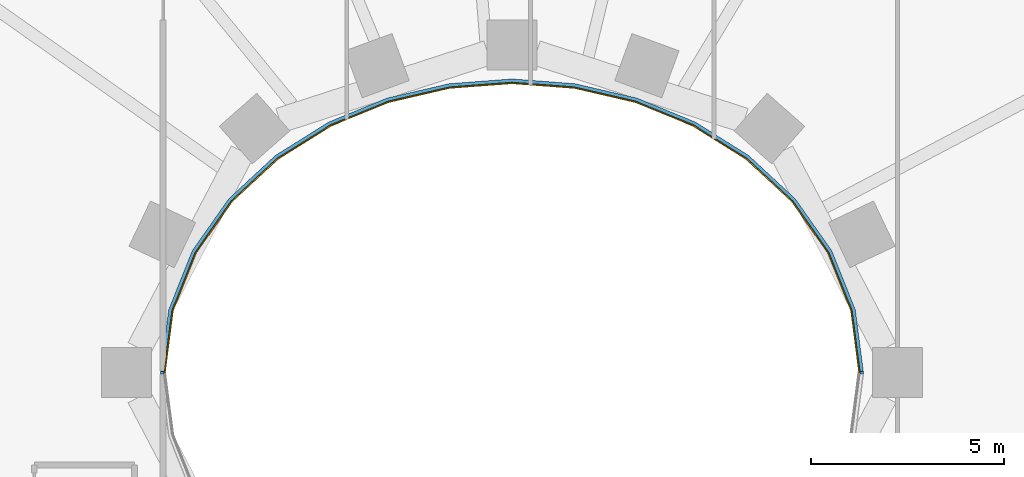
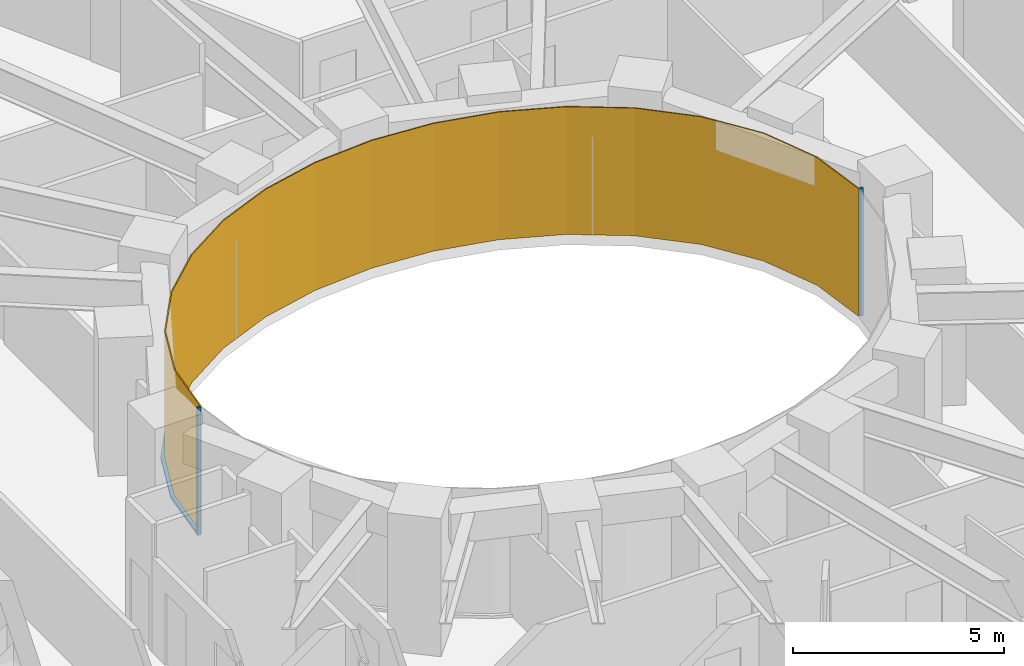
# One storey, part 12 of 16: 3 members, 1 curtain wall.
"""IFC4 building model written with IfcOpenShell, lengths in metres."""

import ifcopenshell
import ifcopenshell.guid

model = None  # the IFC model being written
_history = None  # IfcOwnerHistory: only IFC2X3 demands one
_inside = {}  # id of a spatial element -> (the spatial element, [elements in it])
_under = {}  # id of a project, library or spatial element -> (it, [spatial elements below it])
_declared = {}  # id of a project -> (the project, [libraries it declares])
_typed = {}  # id of a type object -> (the type object, [elements of that type])
_made_of = {}  # id of a material, layer set ... -> (it, [elements and type objects made of it])


def new_model(schema):
    """Start an empty IFC model of exactly this schema.

    Asked for "IFC4X3", IfcOpenShell would pick the latest addendum, in which some entities
    have other attributes; the version numbers below select the first issue.
    IFC2X3 requires an IfcOwnerHistory on every rooted entity: one is made here for all.
    """
    global model, _history
    if schema == "IFC4X3":
        model = ifcopenshell.file(schema_version=(4, 3, 0, 0))
    else:
        model = ifcopenshell.file(schema=schema)
    _inside.clear()
    _under.clear()
    _declared.clear()
    _typed.clear()
    _made_of.clear()
    _history = None
    if model.schema == "IFC2X3":
        org = make("IfcOrganization", Name="unknown")
        user = make(
            "IfcPersonAndOrganization",
            ThePerson=make("IfcPerson", FamilyName="unknown"),
            TheOrganization=org,
        )
        app = make(
            "IfcApplication",
            ApplicationDeveloper=org,
            Version="unknown",
            ApplicationFullName="unknown",
            ApplicationIdentifier="unknown",
        )
        _history = make(
            "IfcOwnerHistory",
            OwningUser=user,
            OwningApplication=app,
            ChangeAction="ADDED",
            CreationDate=0,
        )
    return model


def make(cls, **values):
    """One entity of the class cls with the attributes given. An attribute that is None is left unset."""
    return model.create_entity(
        cls, **{name: value for name, value in values.items() if value is not None}
    )


def rooted(cls, **values):
    """An entity with a GlobalId (a new one), such as an element, a storey or a relation."""
    return make(cls, GlobalId=ifcopenshell.guid.new(), OwnerHistory=_history, **values)


def si_unit(unit_type, name, prefix=None):
    """IfcSIUnit, for example si_unit("LENGTHUNIT", "METRE", prefix="MILLI")."""
    return make("IfcSIUnit", UnitType=unit_type, Prefix=prefix, Name=name)


def assignment(units):
    """IfcUnitAssignment: the units of a project."""
    return None if units is None else make("IfcUnitAssignment", Units=units)


def point(xyz):
    """IfcCartesianPoint."""
    return None if xyz is None else make("IfcCartesianPoint", Coordinates=xyz)


def direction(xyz):
    """IfcDirection."""
    return None if xyz is None else make("IfcDirection", DirectionRatios=xyz)


def frame(location, z_axis=None, x_axis=None):
    """IfcAxis2Placement3D, a coordinate frame: its origin and axes. An axis left out is left unset."""
    return make(
        "IfcAxis2Placement3D",
        Location=point(location),
        Axis=direction(z_axis),
        RefDirection=direction(x_axis),
    )


def frame_2d(location, x_axis=None):
    """IfcAxis2Placement2D, a coordinate frame in the plane: its origin and x axis."""
    return make(
        "IfcAxis2Placement2D", Location=point(location), RefDirection=direction(x_axis)
    )


def origin():
    """The frame at (0, 0, 0) with its axes left unset."""
    return frame((0.0, 0.0, 0.0))


def origin_2d():
    """The frame at (0, 0) in the plane with its x axis left unset."""
    return frame_2d((0.0, 0.0))


def place(relative_to, where):
    """IfcLocalPlacement: puts the frame where relative to a parent placement (None: the world)."""
    return make(
        "IfcLocalPlacement", PlacementRelTo=relative_to, RelativePlacement=where
    )


def context(
    kind, dimensions, precision=None, world=None, true_north=None, identifier=None
):
    """IfcGeometricRepresentationContext, for example the 3D "Model" context."""
    return make(
        "IfcGeometricRepresentationContext",
        ContextIdentifier=identifier,
        ContextType=kind,
        CoordinateSpaceDimension=dimensions,
        Precision=precision,
        WorldCoordinateSystem=world,
        TrueNorth=true_north,
    )


def subcontext(parent, identifier, kind, view, scale=None):
    """IfcGeometricRepresentationSubContext, for example "Body" below "Model"."""
    return make(
        "IfcGeometricRepresentationSubContext",
        ContextIdentifier=identifier,
        ContextType=kind,
        ParentContext=parent,
        TargetScale=scale,
        TargetView=view,
    )


def project(units=None, contexts=None):
    """IfcProject with its units and contexts."""
    return rooted(
        "IfcProject",
        Name="project",
        RepresentationContexts=contexts,
        UnitsInContext=assignment(units),
    )


def spatial(cls, under=None, at=None, **own):
    """A site, building, storey or space (cls), placed at a placement, below another one or the project."""
    s = rooted(cls, ObjectPlacement=at, **own)
    if under is not None:
        _under.setdefault(under.id(), (under, []))[1].append(s)
    return s


def polyline(points):
    """IfcPolyline through the points."""
    return make("IfcPolyline", Points=[point(p) for p in points])


def profile(cls, at=None, kind="AREA", **sizes):
    """A parametric profile (cls). Its sizes go by their IFC names, for example OverallWidth=200.0."""
    return make(cls, ProfileType=kind, Position=at, **sizes)


def rectangle(**sizes):
    """IfcRectangleProfileDef."""
    return profile("IfcRectangleProfileDef", **sizes)


def outline(outer, holes=None, kind="AREA"):
    """IfcArbitraryClosedProfileDef: a profile drawn as a closed curve; with holes, ...WithVoids."""
    if holes is None:
        return make("IfcArbitraryClosedProfileDef", ProfileType=kind, OuterCurve=outer)
    return make(
        "IfcArbitraryProfileDefWithVoids",
        ProfileType=kind,
        OuterCurve=outer,
        InnerCurves=holes,
    )


def extrude(swept, where, along, depth):
    """IfcExtrudedAreaSolid: the profile swept, set in the frame where, extruded along a direction by depth."""
    return make(
        "IfcExtrudedAreaSolid",
        SweptArea=swept,
        Position=where,
        ExtrudedDirection=direction(along),
        Depth=depth,
    )


def shape(context_of_items, identifier, shape_type, items):
    """IfcShapeRepresentation: the items that make up one representation, for example the "Body"."""
    return make(
        "IfcShapeRepresentation",
        ContextOfItems=context_of_items,
        RepresentationIdentifier=identifier,
        RepresentationType=shape_type,
        Items=items,
    )


def material(Name=None, Category=None):
    """IfcMaterial."""
    return make("IfcMaterial", Name=Name, Category=Category)


def layer(
    of_material, thickness, ventilated=None, Name=None, Category=None, Priority=None
):
    """IfcMaterialLayer: one layer of a wall or slab, of a material (None: an air gap)."""
    return make(
        "IfcMaterialLayer",
        Material=of_material,
        LayerThickness=thickness,
        IsVentilated=ventilated,
        Name=Name,
        Category=Category,
        Priority=Priority,
    )


def layer_set(layers, Name=None):
    """IfcMaterialLayerSet."""
    return make("IfcMaterialLayerSet", MaterialLayers=layers, LayerSetName=Name)


def material_profile(
    of_material, cross_section, Name=None, Category=None, Priority=None
):
    """IfcMaterialProfile: a cross section and its material."""
    return make(
        "IfcMaterialProfile",
        Name=Name,
        Material=of_material,
        Profile=cross_section,
        Priority=Priority,
        Category=Category,
    )


def profile_set(profiles, Name=None, composite=None):
    """IfcMaterialProfileSet."""
    return make(
        "IfcMaterialProfileSet",
        Name=Name,
        MaterialProfiles=profiles,
        CompositeProfile=composite,
    )


def made_of(thing, what):
    """Note that an element or type object is made of a material, layer set ...; save() writes the relation."""
    if what is not None:
        _made_of.setdefault(what.id(), (what, []))[1].append(thing)
    return thing


def type_object(cls, material=None, **own):
    """A type object (cls), such as IfcWallType, which elements share."""
    return made_of(rooted(cls, **own), material)


def element(
    cls,
    number,
    at=None,
    inside=None,
    cuts=None,
    type_object=None,
    material=None,
    context=None,
    identifier="Body",
    shape_type=None,
    held_by="IfcProductDefinitionShape",
    body=None,
    shapes=None,
    **own,
):
    """One element of the class cls, such as IfcWall. Its Tag is "e" and its number.

    at: its placement. inside: the storey or other place that contains it. cuts: it is an
    opening in that element (IfcRelVoidsElement). A single representation is given by context,
    identifier, shape_type and body (its items); several are given by shapes. held_by: the class
    of the entity that holds the representations. save() writes the other relations.
    """
    e = rooted(cls, Tag="e%d" % number, ObjectPlacement=at, **own)
    if body is not None:
        shapes = [shape(context, identifier, shape_type, body)]
    if shapes is not None:
        e.Representation = make(held_by, Representations=shapes)
    if inside is not None:
        _inside.setdefault(inside.id(), (inside, []))[1].append(e)
    if cuts is not None:
        rooted(
            "IfcRelVoidsElement", RelatingBuildingElement=cuts, RelatedOpeningElement=e
        )
    if type_object is not None:
        _typed.setdefault(type_object.id(), (type_object, []))[1].append(e)
    return made_of(e, material)


def aggregate(whole, parts):
    """IfcRelAggregates: a whole, such as a stair, and the parts it consists of."""
    return rooted("IfcRelAggregates", RelatingObject=whole, RelatedObjects=parts)


def save(model, path):
    """Write the relations noted so far, then the file.

    IfcRelAggregates (storeys below a building ...), IfcRelContainedInSpatialStructure (elements
    in a storey), IfcRelDefinesByType, IfcRelAssociatesMaterial and IfcRelDeclares: one each for
    every whole, place, type object, material and project.
    """
    for whole, parts in _under.values():
        aggregate(whole, parts)
    for where, things in _inside.values():
        rooted(
            "IfcRelContainedInSpatialStructure",
            RelatedElements=things,
            RelatingStructure=where,
        )
    for kind, things in _typed.values():
        rooted("IfcRelDefinesByType", RelatedObjects=things, RelatingType=kind)
    for what, things in _made_of.values():
        rooted("IfcRelAssociatesMaterial", RelatedObjects=things, RelatingMaterial=what)
    for by, libraries in _declared.values():
        rooted("IfcRelDeclares", RelatingContext=by, RelatedDefinitions=libraries)
    model.write(path)


model = new_model("IFC4")

# Units and contexts
model_context = context("Model", 3, precision=1e-05, world=origin(), true_north=direction((0.0, 1.0)))
body_context = subcontext(model_context, "Body", "Model", "MODEL_VIEW")
ifc_project = project(units=[si_unit("LENGTHUNIT", "METRE"), si_unit("AREAUNIT", "SQUARE_METRE"), si_unit("VOLUMEUNIT", "CUBIC_METRE"), si_unit("PLANEANGLEUNIT", "RADIAN"), si_unit("MASSUNIT", "GRAM", prefix="KILO")], contexts=[model_context])

# Member
ifc_material_1 = material(Name="Steel S355 fire-resisting frame", Category="steel")
ifc_material_profile = material_profile(ifc_material_1, rectangle(XDim=0.090087890625, YDim=0.06005859375, at=origin_2d()), Name="90x60")
ifc_profile_set = profile_set([ifc_material_profile], Name="Steel S355 fire-resisting frame")
member_type_1 = type_object("IfcMemberType", Name="ENV-MULLION-W-90", PredefinedType="MULLION", material=ifc_profile_set)
site_placement = place(None, origin())
building_placement = place(site_placement, origin())
storey_placement = place(building_placement, frame((0.0, 0.0, 58.5)))
member_1_placement = place(storey_placement, frame((9.076904296875, 0.0, 0.0), z_axis=(0.0, 0.0, 1.0), x_axis=(1.0, 0.0, 0.0)))
member_1 = element("IfcMember", 1, at=member_1_placement, type_object=member_type_1, Name="Mullion W well vertex 01", PredefinedType="MULLION", context=body_context, shape_type="SweptSolid", body=[
    extrude(rectangle(XDim=0.090087890625, YDim=0.06005859375, at=origin_2d()), origin(), (0.0, 0.0, 1.0), 3.699951171875),
])

member_2_placement = place(storey_placement, frame((-9.076904296875, 0.0, 0.0), z_axis=(0.0, 0.0, 1.0), x_axis=(-1.0, 0.0, 0.0)))
member_2 = element("IfcMember", 2, at=member_2_placement, type_object=member_type_1, Name="Mullion W well vertex 17", PredefinedType="MULLION", context=body_context, shape_type="SweptSolid", body=[
    extrude(rectangle(XDim=0.090087890625, YDim=0.06005859375, at=origin_2d()), origin(), (0.0, 0.0, 1.0), 3.699951171875),
])

ifc_material_2 = material(Name="Steel S355 fire-resisting frame", Category="steel")
member_type_2 = type_object("IfcMemberType", Name="ENV-TRANSOM-W", PredefinedType="USERDEFINED", material=ifc_material_2)
member_3_placement = place(storey_placement, origin())
member_3 = element("IfcMember", 3, at=member_3_placement, type_object=member_type_2, Name="Transom W well 01-17", ObjectType="TRANSOM", PredefinedType="USERDEFINED", context=body_context, shape_type="SweptSolid", body=[
    extrude(outline(polyline([(9.119384765625, 0.02783203125), (8.910400390625, 1.63623046875), (8.29833984375, 3.167236328125), (7.35107421875, 4.5146484375), (6.1455078125, 5.6337890625), (4.75341796875, 6.50634765625), (3.233642578125, 7.127685546875), (1.635498046875, 7.498779296875), (0.0, 7.622314453125), (-1.635498046875, 7.498779296875), (-3.233642578125, 7.127685546875), (-4.75341796875, 6.50634765625), (-6.1455078125, 5.6337890625), (-7.35107421875, 4.5146484375), (-8.29833984375, 3.167236328125), (-8.910400390625, 1.63623046875), (-9.119384765625, 0.02783203125), (-9.02880859375, 0.02783203125), (-8.822509765625, 1.61328125), (-8.21875, 3.124267578125), (-7.282958984375, 4.455078125), (-6.090576171875, 5.56201171875), (-4.712158203125, 6.426025390625), (-3.206298828125, 7.04150390625), (-1.621826171875, 7.40966796875), (0.0, 7.531982421875), (1.621826171875, 7.40966796875), (3.206298828125, 7.04150390625), (4.712158203125, 6.426025390625), (6.090576171875, 5.56201171875), (7.282958984375, 4.455078125), (8.21875, 3.124267578125), (8.822509765625, 1.61328125), (9.02880859375, 0.02783203125), (9.119384765625, 0.02783203125)])), origin(), (0.0, 0.0, 1.0), 0.080078125),
])

# Site, building, storey
site = spatial("IfcSite", under=ifc_project, at=site_placement, CompositionType="ELEMENT")
building = spatial("IfcBuilding", under=site, at=building_placement, Name="Noorbagh Ring Tower", CompositionType="ELEMENT")
storey = spatial("IfcBuildingStorey", under=building, at=storey_placement, Name="L12", CompositionType="ELEMENT", Elevation=58.5)

# Curtain wall
ifc_material_3 = material(Name="Glass fire-resisting E60 laminated", Category="glass")
ifc_layer = layer(ifc_material_3, 0.031982421875)
ifc_layer_set = layer_set([ifc_layer], Name="Glass fire-resisting E60 laminated")
curtain_wall_type = type_object("IfcCurtainWallType", Name="ENV-CW-W", PredefinedType="NOTDEFINED", material=ifc_layer_set)
curtain_wall_placement = place(storey_placement, origin())
curtain_wall = element("IfcCurtainWall", 4, at=curtain_wall_placement, inside=storey, type_object=curtain_wall_type, Name="Curtain wall W W01", PredefinedType="NOTDEFINED", context=body_context, shape_type="SweptSolid", body=[
    extrude(outline(polyline([(9.0322265625, 0.0), (8.822509765625, 1.61328125), (8.21875, 3.124267578125), (7.282958984375, 4.455078125), (6.090576171875, 5.56201171875), (4.712158203125, 6.426025390625), (3.206298828125, 7.04150390625), (1.621826171875, 7.40966796875), (0.0, 7.531982421875), (-1.621826171875, 7.40966796875), (-3.206298828125, 7.04150390625), (-4.712158203125, 6.426025390625), (-6.090576171875, 5.56201171875), (-7.282958984375, 4.455078125), (-8.21875, 3.124267578125), (-8.822509765625, 1.61328125), (-9.0322265625, 0.0), (-9.0, 0.0), (-8.79150390625, 1.605224609375), (-8.1904296875, 3.10888671875), (-7.2587890625, 4.43408203125), (-6.071044921875, 5.53662109375), (-4.697509765625, 6.3974609375), (-3.196533203125, 7.010986328125), (-1.6171875, 7.3779296875), (0.0, 7.5), (1.6171875, 7.3779296875), (3.196533203125, 7.010986328125), (4.697509765625, 6.3974609375), (6.071044921875, 5.53662109375), (7.2587890625, 4.43408203125), (8.1904296875, 3.10888671875), (8.79150390625, 1.605224609375), (9.0, 0.0), (9.0322265625, 0.0)])), origin(), (0.0, 0.0, 1.0), 3.699951171875),
])

aggregate(curtain_wall, [member_1, member_2, member_3])

save(model, "model.ifc")
